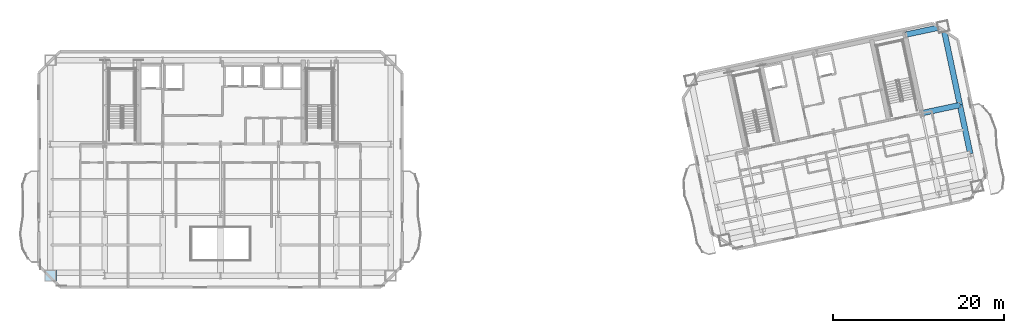
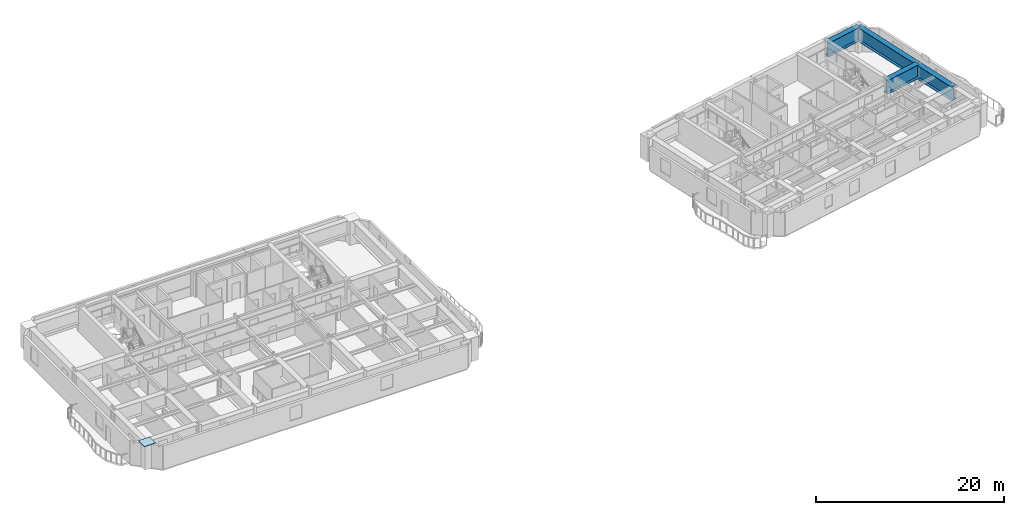
# One storey, part 4 of 15: 4 beams, 1 plate.
"""IFC4 building model written with IfcOpenShell, lengths in metres."""

from ifc_helpers import new_model, si_unit, direction, frame, origin, origin_2d, place, context, subcontext, project, spatial, rectangle, i_section, extrude, material, layer, layer_set, material_profile, profile_set, type_object, element, save


model = new_model("IFC4")

# Units and contexts
model_context = context("Model", 3, precision=1e-05, world=origin(), true_north=direction((0.0, 1.0)))
body_context = subcontext(model_context, "Body", "Model", "MODEL_VIEW")
ifc_project = project(units=[si_unit("LENGTHUNIT", "METRE"), si_unit("AREAUNIT", "SQUARE_METRE"), si_unit("VOLUMEUNIT", "CUBIC_METRE"), si_unit("PLANEANGLEUNIT", "RADIAN"), si_unit("MASSUNIT", "GRAM", prefix="KILO")], contexts=[model_context])

# Site, building, storey
site_placement = place(None, origin())
site = spatial("IfcSite", under=ifc_project, at=site_placement, CompositionType="ELEMENT")
building_placement = place(site_placement, origin())
building = spatial("IfcBuilding", under=site, at=building_placement, Name="Haevon Station Towers", CompositionType="ELEMENT")
storey_placement = place(building_placement, frame((0.0, 0.0, 152.699951171875)))
storey = spatial("IfcBuildingStorey", under=building, at=storey_placement, Name="L41", CompositionType="ELEMENT", Elevation=152.699951171875)

# Beams
ifc_material_1 = material(Name="Steel S460", Category="steel")
ifc_material_profile = material_profile(ifc_material_1, i_section(OverallWidth=0.64990234375, OverallDepth=1.800048828125, WebThickness=0.02490234375, FlangeThickness=0.0400390625, at=origin_2d()), Name="H-1800x650x25x40")
ifc_profile_set = profile_set([ifc_material_profile], Name="Steel S460")
beam_type = type_object("IfcBeamType", Name="BM-TG1800", PredefinedType="BEAM", material=ifc_profile_set)
for number, where, z_axis, x_axis, name in (
    (1, (119.29345703125, 41.80859375, 2.150146484375), (0.978146576304, 0.207916510322, 0.0), (-0.207916510322, 0.978146576304, 0.0), "BM-T2U-L41-03-04"),
    (2, (117.349365234375, 50.954345703125, 2.150146484375), (0.978157487225, 0.207865173094, 0.0), (-0.207865173094, 0.978157487225, 0.0), "BM-T2U-L41-04-04"),
):
    element("IfcBeam", number, at=place(storey_placement, frame(where, z_axis=z_axis, x_axis=x_axis)), inside=storey, type_object=beam_type, Name=name, PredefinedType="BEAM", context=body_context, shape_type="SweptSolid", body=[
        extrude(i_section(OverallWidth=0.64990234375, OverallDepth=1.800048828125, WebThickness=0.02490234375, FlangeThickness=0.0400390625, at=origin_2d()), origin(), (0.0, 0.0, 1.0), 4.550048828125),
    ])
beam_1_placement = place(storey_placement, frame((124.949951171875, 37.081298828125, 2.150146484375), z_axis=(-0.207896009217, 0.97815093383, 0.0), x_axis=(-0.97815093383, -0.207896009217, 0.0)))
element("IfcBeam", 3, at=beam_1_placement, inside=storey, type_object=beam_type, Name="BM-T2V-L41-05-02", PredefinedType="BEAM", context=body_context, shape_type="SweptSolid", body=[
    extrude(i_section(OverallWidth=0.64990234375, OverallDepth=1.800048828125, WebThickness=0.02490234375, FlangeThickness=0.0400390625, at=origin_2d()), origin(), (0.0, 0.0, 1.0), 5.800048828125),
])
beam_2_placement = place(storey_placement, frame((123.744140625, 42.754638671875, 2.150146484375), z_axis=(-0.207927460032, 0.978144248751, 0.0), x_axis=(-0.978144248751, -0.207927460032, 0.0)))
element("IfcBeam", 4, at=beam_2_placement, inside=storey, type_object=beam_type, Name="BM-T2V-L41-05-03", PredefinedType="BEAM", context=body_context, shape_type="SweptSolid", body=[
    extrude(i_section(OverallWidth=0.64990234375, OverallDepth=1.800048828125, WebThickness=0.02490234375, FlangeThickness=0.0400390625, at=origin_2d()), origin(), (0.0, 0.0, 1.0), 9.349853515625),
])

# Plate
ifc_material_2 = material(Name="PL-FLG1", Category="steel")
ifc_layer = layer(ifc_material_2, 0.044921875)
ifc_layer_set = layer_set([ifc_layer], Name="PL-FLG1")
plate_type = type_object("IfcPlateType", Name="PL-FLG1", PredefinedType="USERDEFINED", material=ifc_layer_set)
plate_placement = place(storey_placement, frame((17.64990234375, 22.85009765625, 3.050048828125), z_axis=(0.0, 0.0, 1.0), x_axis=(1.0, 0.0, 0.0)))
element("IfcPlate", 5, at=plate_placement, inside=storey, type_object=plate_type, Name="PL-CAP-T1-L41-01-01", ObjectType="FLANGE_PLATE", PredefinedType="USERDEFINED", context=body_context, shape_type="SweptSolid", body=[
    extrude(rectangle(XDim=1.389892578125, YDim=1.2900390625, at=origin_2d()), origin(), (0.0, 0.0, 1.0), 0.0400390625),
])

save(model, "model.ifc")
